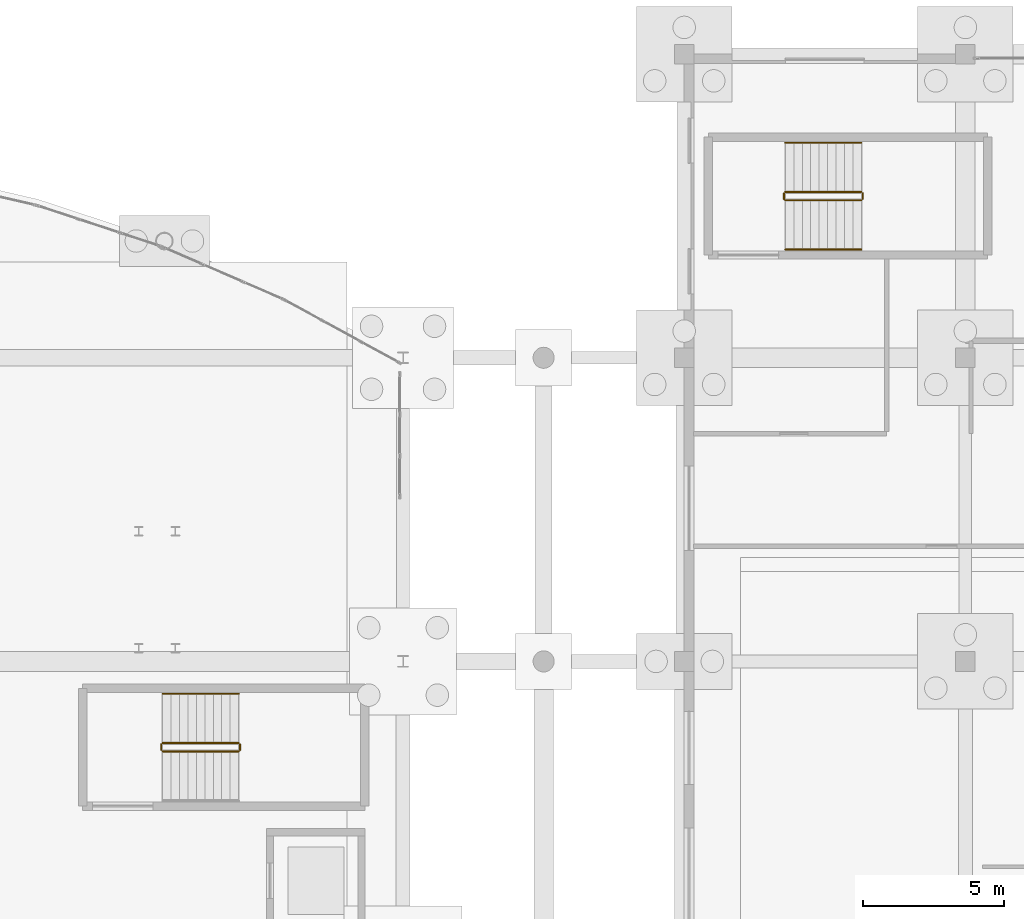
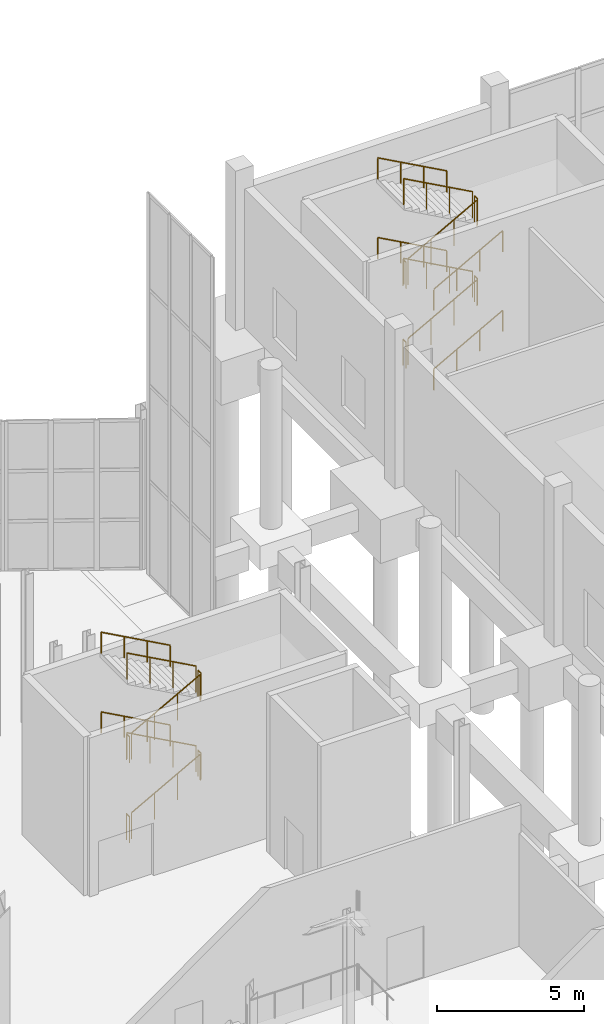
# One storey, part 111 of 115: 22 railings.
"""IFC4 building model written with IfcOpenShell, lengths in metres."""

from ifc_helpers import new_model, si_unit, direction, frame, origin, origin_2d, place, context, subcontext, project, spatial, circle, extrude, material, type_object, element, save


model = new_model("IFC4")

# Units and contexts
model_context = context("Model", 3, precision=1e-05, world=origin(), true_north=direction((0.0, 1.0)))
body_context = subcontext(model_context, "Body", "Model", "MODEL_VIEW")
ifc_project = project(units=[si_unit("LENGTHUNIT", "METRE"), si_unit("AREAUNIT", "SQUARE_METRE"), si_unit("VOLUMEUNIT", "CUBIC_METRE"), si_unit("PLANEANGLEUNIT", "RADIAN"), si_unit("MASSUNIT", "GRAM", prefix="KILO")], contexts=[model_context])

# Site, building, storey
site_placement = place(None, origin())
site = spatial("IfcSite", under=ifc_project, at=site_placement, CompositionType="ELEMENT")
building_placement = place(site_placement, origin())
building = spatial("IfcBuilding", under=site, at=building_placement, Name="Tamarisk Ironworks Central Station", CompositionType="ELEMENT")
storey_placement = place(building_placement, origin())
storey = spatial("IfcBuildingStorey", under=building, at=storey_placement, Name="L00", CompositionType="ELEMENT", Elevation=0.0)

# Railings
ifc_material = material(Name="Brushed stainless steel AISI 316", Category="steel")
railing_type_1 = type_object("IfcRailingType", Name="RL-GUARD-INT", PredefinedType="BALUSTRADE", material=ifc_material)
railing_1_placement = place(storey_placement, frame((121.60009765625, 117.199951171875, 0.1650390625)))
element("IfcRailing", 1, at=railing_1_placement, inside=storey, type_object=railing_type_1, Name="L00 ST-C5 stair guard 1", PredefinedType="BALUSTRADE", context=body_context, shape_type="SweptSolid", body=[
    extrude(circle(Radius=0.02392578125, at=origin_2d()), frame((0.0, 0.0, 1.076171875), z_axis=(0.876230963923, 0.0, 0.481891375584), x_axis=(0.0, 1.0, 0.0)), (0.0, 0.0, 1.0), 3.081298828125),
    extrude(circle(Radius=0.02099609375, at=origin_2d()), origin(), (0.0, 0.0, 1.0), 1.052001953125),
    extrude(circle(Radius=0.02099609375, at=origin_2d()), frame((0.89990234375, 0.0, 0.494873046875)), (0.0, 0.0, 1.0), 1.052001953125),
    extrude(circle(Radius=0.02099609375, at=origin_2d()), frame((1.800048828125, 0.0, 0.989990234375)), (0.0, 0.0, 1.0), 1.052001953125),
    extrude(circle(Radius=0.02099609375, at=origin_2d()), frame((2.699951171875, 0.0, 1.48486328125)), (0.0, 0.0, 1.0), 1.052001953125),
])
railing_2_placement = place(storey_placement, frame((124.35009765625, 117.25, 1.64990234375)))
element("IfcRailing", 2, at=railing_2_placement, inside=storey, type_object=railing_type_1, Name="L00 ST-C5 stair guard 2", PredefinedType="BALUSTRADE", context=body_context, shape_type="SweptSolid", body=[
    extrude(circle(Radius=0.02392578125, at=origin_2d()), frame((0.0, 0.0, 1.076171875), z_axis=(0.0, 1.0, 0.0), x_axis=(-1.0, 0.0, 0.0)), (0.0, 0.0, 1.0), 0.199951171875),
    extrude(circle(Radius=0.02099609375, at=origin_2d()), origin(), (0.0, 0.0, 1.0), 1.052001953125),
    extrude(circle(Radius=0.02099609375, at=origin_2d()), frame((0.0, 0.199951171875, 0.0)), (0.0, 0.0, 1.0), 1.052001953125),
])
railing_3_placement = place(storey_placement, frame((124.300048828125, 117.5, 1.81494140625)))
element("IfcRailing", 3, at=railing_3_placement, inside=storey, type_object=railing_type_1, Name="L00 ST-C5 stair guard 3", PredefinedType="BALUSTRADE", context=body_context, shape_type="SweptSolid", body=[
    extrude(circle(Radius=0.02392578125, at=origin_2d()), frame((0.0, 0.0, 1.076171875), z_axis=(-0.876197507361, 0.0, 0.481952205197), x_axis=(0.0, -1.0, 0.0)), (0.0, 0.0, 1.0), 3.08154296875),
    extrude(circle(Radius=0.02099609375, at=origin_2d()), origin(), (0.0, 0.0, 1.0), 1.052001953125),
    extrude(circle(Radius=0.02099609375, at=origin_2d()), frame((-0.89990234375, 0.0, 0.4951171875)), (0.0, 0.0, 1.0), 1.052001953125),
    extrude(circle(Radius=0.02099609375, at=origin_2d()), frame((-1.800048828125, 0.0, 0.989990234375)), (0.0, 0.0, 1.0), 1.052001953125),
    extrude(circle(Radius=0.02099609375, at=origin_2d()), frame((-2.699951171875, 0.0, 1.485107421875)), (0.0, 0.0, 1.0), 1.052001953125),
])
railing_4_placement = place(storey_placement, frame((121.550048828125, 117.25, 3.300048828125)))
element("IfcRailing", 4, at=railing_4_placement, inside=storey, type_object=railing_type_1, Name="L00 ST-C5 stair guard 4", PredefinedType="BALUSTRADE", context=body_context, shape_type="SweptSolid", body=[
    extrude(circle(Radius=0.02392578125, at=origin_2d()), frame((0.0, 0.0, 1.076171875), z_axis=(0.0, 1.0, 0.0), x_axis=(-1.0, 0.0, 0.0)), (0.0, 0.0, 1.0), 0.199951171875),
    extrude(circle(Radius=0.02099609375, at=origin_2d()), origin(), (0.0, 0.0, 1.0), 1.052001953125),
    extrude(circle(Radius=0.02099609375, at=origin_2d()), frame((0.0, 0.199951171875, 0.0)), (0.0, 0.0, 1.0), 1.052001953125),
])
railing_5_placement = place(storey_placement, frame((121.60009765625, 117.199951171875, 3.465087890625)))
element("IfcRailing", 5, at=railing_5_placement, inside=storey, type_object=railing_type_1, Name="L00 ST-C5 stair guard 5", PredefinedType="BALUSTRADE", context=body_context, shape_type="SweptSolid", body=[
    extrude(circle(Radius=0.02392578125, at=origin_2d()), frame((0.0, 0.0, 1.076171875), z_axis=(0.876230963923, 0.0, 0.481891375584), x_axis=(0.0, 1.0, 0.0)), (0.0, 0.0, 1.0), 3.081298828125),
    extrude(circle(Radius=0.02099609375, at=origin_2d()), origin(), (0.0, 0.0, 1.0), 1.052001953125),
    extrude(circle(Radius=0.02099609375, at=origin_2d()), frame((0.89990234375, 0.0, 0.494873046875)), (0.0, 0.0, 1.0), 1.052001953125),
    extrude(circle(Radius=0.02099609375, at=origin_2d()), frame((1.800048828125, 0.0, 0.989990234375)), (0.0, 0.0, 1.0), 1.052001953125),
    extrude(circle(Radius=0.02099609375, at=origin_2d()), frame((2.699951171875, 0.0, 1.48486328125)), (0.0, 0.0, 1.0), 1.052001953125),
])
railing_6_placement = place(storey_placement, frame((124.35009765625, 117.25, 4.949951171875)))
element("IfcRailing", 6, at=railing_6_placement, inside=storey, type_object=railing_type_1, Name="L00 ST-C5 stair guard 6", PredefinedType="BALUSTRADE", context=body_context, shape_type="SweptSolid", body=[
    extrude(circle(Radius=0.02392578125, at=origin_2d()), frame((0.0, 0.0, 1.076171875), z_axis=(0.0, 1.0, 0.0), x_axis=(-1.0, 0.0, 0.0)), (0.0, 0.0, 1.0), 0.199951171875),
    extrude(circle(Radius=0.02099609375, at=origin_2d()), origin(), (0.0, 0.0, 1.0), 1.052001953125),
    extrude(circle(Radius=0.02099609375, at=origin_2d()), frame((0.0, 0.199951171875, 0.0)), (0.0, 0.0, 1.0), 1.052001953125),
])
railing_7_placement = place(storey_placement, frame((124.300048828125, 117.5, 5.114990234375)))
element("IfcRailing", 7, at=railing_7_placement, inside=storey, type_object=railing_type_1, Name="L00 ST-C5 stair guard 7", PredefinedType="BALUSTRADE", context=body_context, shape_type="SweptSolid", body=[
    extrude(circle(Radius=0.02392578125, at=origin_2d()), frame((0.0, 0.0, 1.076171875), z_axis=(-0.876197507361, 0.0, 0.481952205197), x_axis=(0.0, -1.0, 0.0)), (0.0, 0.0, 1.0), 3.08154296875),
    extrude(circle(Radius=0.02099609375, at=origin_2d()), origin(), (0.0, 0.0, 1.0), 1.052001953125),
    extrude(circle(Radius=0.02099609375, at=origin_2d()), frame((-0.89990234375, 0.0, 0.4951171875)), (0.0, 0.0, 1.0), 1.052001953125),
    extrude(circle(Radius=0.02099609375, at=origin_2d()), frame((-1.800048828125, 0.0, 0.989990234375)), (0.0, 0.0, 1.0), 1.052001953125),
    extrude(circle(Radius=0.02099609375, at=origin_2d()), frame((-2.699951171875, 0.0, 1.485107421875)), (0.0, 0.0, 1.0), 1.052001953125),
])
railing_8_placement = place(storey_placement, frame((121.550048828125, 117.25, 0.0)))
element("IfcRailing", 8, at=railing_8_placement, inside=storey, type_object=railing_type_1, Name="L00 ST-C5 stair guard 8", PredefinedType="BALUSTRADE", context=body_context, shape_type="SweptSolid", body=[
    extrude(circle(Radius=0.02392578125, at=origin_2d()), frame((0.0, 0.0, 1.076171875), z_axis=(0.0, 1.0, 0.0), x_axis=(-1.0, 0.0, 0.0)), (0.0, 0.0, 1.0), 0.199951171875),
    extrude(circle(Radius=0.02099609375, at=origin_2d()), origin(), (0.0, 0.0, 1.0), 1.052001953125),
    extrude(circle(Radius=0.02099609375, at=origin_2d()), frame((0.0, 0.199951171875, 0.0)), (0.0, 0.0, 1.0), 1.052001953125),
])
railing_9_placement = place(storey_placement, frame((99.449951171875, 97.60009765625, 0.1650390625)))
element("IfcRailing", 9, at=railing_9_placement, inside=storey, type_object=railing_type_1, Name="L00 ST-C4 stair guard 1", PredefinedType="BALUSTRADE", context=body_context, shape_type="SweptSolid", body=[
    extrude(circle(Radius=0.02392578125, at=origin_2d()), frame((0.0, 0.0, 1.076171875), z_axis=(0.876230963923, 0.0, 0.481891375584), x_axis=(0.0, 1.0, 0.0)), (0.0, 0.0, 1.0), 3.081298828125),
    extrude(circle(Radius=0.02099609375, at=origin_2d()), origin(), (0.0, 0.0, 1.0), 1.052001953125),
    extrude(circle(Radius=0.02099609375, at=origin_2d()), frame((0.89990234375, 0.0, 0.494873046875)), (0.0, 0.0, 1.0), 1.052001953125),
    extrude(circle(Radius=0.02099609375, at=origin_2d()), frame((1.800048828125, 0.0, 0.989990234375)), (0.0, 0.0, 1.0), 1.052001953125),
    extrude(circle(Radius=0.02099609375, at=origin_2d()), frame((2.699951171875, 0.0, 1.48486328125)), (0.0, 0.0, 1.0), 1.052001953125),
])
railing_10_placement = place(storey_placement, frame((102.199951171875, 97.64990234375, 1.64990234375)))
element("IfcRailing", 10, at=railing_10_placement, inside=storey, type_object=railing_type_1, Name="L00 ST-C4 stair guard 2", PredefinedType="BALUSTRADE", context=body_context, shape_type="SweptSolid", body=[
    extrude(circle(Radius=0.02392578125, at=origin_2d()), frame((0.0, 0.0, 1.076171875), z_axis=(0.0, 1.0, 0.0), x_axis=(-1.0, 0.0, 0.0)), (0.0, 0.0, 1.0), 0.2001953125),
    extrude(circle(Radius=0.02099609375, at=origin_2d()), origin(), (0.0, 0.0, 1.0), 1.052001953125),
    extrude(circle(Radius=0.02099609375, at=origin_2d()), frame((0.0, 0.2001953125, 0.0)), (0.0, 0.0, 1.0), 1.052001953125),
])
railing_11_placement = place(storey_placement, frame((102.14990234375, 97.89990234375, 1.81494140625)))
element("IfcRailing", 11, at=railing_11_placement, inside=storey, type_object=railing_type_1, Name="L00 ST-C4 stair guard 3", PredefinedType="BALUSTRADE", context=body_context, shape_type="SweptSolid", body=[
    extrude(circle(Radius=0.02392578125, at=origin_2d()), frame((0.0, 0.0, 1.076171875), z_axis=(-0.876197507361, 0.0, 0.481952205197), x_axis=(0.0, -1.0, 0.0)), (0.0, 0.0, 1.0), 3.08154296875),
    extrude(circle(Radius=0.02099609375, at=origin_2d()), origin(), (0.0, 0.0, 1.0), 1.052001953125),
    extrude(circle(Radius=0.02099609375, at=origin_2d()), frame((-0.89990234375, 0.0, 0.4951171875)), (0.0, 0.0, 1.0), 1.052001953125),
    extrude(circle(Radius=0.02099609375, at=origin_2d()), frame((-1.800048828125, 0.0, 0.989990234375)), (0.0, 0.0, 1.0), 1.052001953125),
    extrude(circle(Radius=0.02099609375, at=origin_2d()), frame((-2.699951171875, 0.0, 1.485107421875)), (0.0, 0.0, 1.0), 1.052001953125),
])
railing_12_placement = place(storey_placement, frame((99.39990234375, 97.64990234375, 3.300048828125)))
element("IfcRailing", 12, at=railing_12_placement, inside=storey, type_object=railing_type_1, Name="L00 ST-C4 stair guard 4", PredefinedType="BALUSTRADE", context=body_context, shape_type="SweptSolid", body=[
    extrude(circle(Radius=0.02392578125, at=origin_2d()), frame((0.0, 0.0, 1.076171875), z_axis=(0.0, 1.0, 0.0), x_axis=(-1.0, 0.0, 0.0)), (0.0, 0.0, 1.0), 0.2001953125),
    extrude(circle(Radius=0.02099609375, at=origin_2d()), origin(), (0.0, 0.0, 1.0), 1.052001953125),
    extrude(circle(Radius=0.02099609375, at=origin_2d()), frame((0.0, 0.2001953125, 0.0)), (0.0, 0.0, 1.0), 1.052001953125),
])
railing_13_placement = place(storey_placement, frame((99.449951171875, 97.60009765625, 3.465087890625)))
element("IfcRailing", 13, at=railing_13_placement, inside=storey, type_object=railing_type_1, Name="L00 ST-C4 stair guard 5", PredefinedType="BALUSTRADE", context=body_context, shape_type="SweptSolid", body=[
    extrude(circle(Radius=0.02392578125, at=origin_2d()), frame((0.0, 0.0, 1.076171875), z_axis=(0.876230963923, 0.0, 0.481891375584), x_axis=(0.0, 1.0, 0.0)), (0.0, 0.0, 1.0), 3.081298828125),
    extrude(circle(Radius=0.02099609375, at=origin_2d()), origin(), (0.0, 0.0, 1.0), 1.052001953125),
    extrude(circle(Radius=0.02099609375, at=origin_2d()), frame((0.89990234375, 0.0, 0.494873046875)), (0.0, 0.0, 1.0), 1.052001953125),
    extrude(circle(Radius=0.02099609375, at=origin_2d()), frame((1.800048828125, 0.0, 0.989990234375)), (0.0, 0.0, 1.0), 1.052001953125),
    extrude(circle(Radius=0.02099609375, at=origin_2d()), frame((2.699951171875, 0.0, 1.48486328125)), (0.0, 0.0, 1.0), 1.052001953125),
])
railing_14_placement = place(storey_placement, frame((102.199951171875, 97.64990234375, 4.949951171875)))
element("IfcRailing", 14, at=railing_14_placement, inside=storey, type_object=railing_type_1, Name="L00 ST-C4 stair guard 6", PredefinedType="BALUSTRADE", context=body_context, shape_type="SweptSolid", body=[
    extrude(circle(Radius=0.02392578125, at=origin_2d()), frame((0.0, 0.0, 1.076171875), z_axis=(0.0, 1.0, 0.0), x_axis=(-1.0, 0.0, 0.0)), (0.0, 0.0, 1.0), 0.2001953125),
    extrude(circle(Radius=0.02099609375, at=origin_2d()), origin(), (0.0, 0.0, 1.0), 1.052001953125),
    extrude(circle(Radius=0.02099609375, at=origin_2d()), frame((0.0, 0.2001953125, 0.0)), (0.0, 0.0, 1.0), 1.052001953125),
])
railing_15_placement = place(storey_placement, frame((102.14990234375, 97.89990234375, 5.114990234375)))
element("IfcRailing", 15, at=railing_15_placement, inside=storey, type_object=railing_type_1, Name="L00 ST-C4 stair guard 7", PredefinedType="BALUSTRADE", context=body_context, shape_type="SweptSolid", body=[
    extrude(circle(Radius=0.02392578125, at=origin_2d()), frame((0.0, 0.0, 1.076171875), z_axis=(-0.876197507361, 0.0, 0.481952205197), x_axis=(0.0, -1.0, 0.0)), (0.0, 0.0, 1.0), 3.08154296875),
    extrude(circle(Radius=0.02099609375, at=origin_2d()), origin(), (0.0, 0.0, 1.0), 1.052001953125),
    extrude(circle(Radius=0.02099609375, at=origin_2d()), frame((-0.89990234375, 0.0, 0.4951171875)), (0.0, 0.0, 1.0), 1.052001953125),
    extrude(circle(Radius=0.02099609375, at=origin_2d()), frame((-1.800048828125, 0.0, 0.989990234375)), (0.0, 0.0, 1.0), 1.052001953125),
    extrude(circle(Radius=0.02099609375, at=origin_2d()), frame((-2.699951171875, 0.0, 1.485107421875)), (0.0, 0.0, 1.0), 1.052001953125),
])
railing_16_placement = place(storey_placement, frame((99.39990234375, 97.64990234375, 0.0)))
element("IfcRailing", 16, at=railing_16_placement, inside=storey, type_object=railing_type_1, Name="L00 ST-C4 stair guard 8", PredefinedType="BALUSTRADE", context=body_context, shape_type="SweptSolid", body=[
    extrude(circle(Radius=0.02392578125, at=origin_2d()), frame((0.0, 0.0, 1.076171875), z_axis=(0.0, 1.0, 0.0), x_axis=(-1.0, 0.0, 0.0)), (0.0, 0.0, 1.0), 0.2001953125),
    extrude(circle(Radius=0.02099609375, at=origin_2d()), origin(), (0.0, 0.0, 1.0), 1.052001953125),
    extrude(circle(Radius=0.02099609375, at=origin_2d()), frame((0.0, 0.2001953125, 0.0)), (0.0, 0.0, 1.0), 1.052001953125),
])
railing_type_2 = type_object("IfcRailingType", Name="RL-HAND", PredefinedType="HANDRAIL", material=ifc_material)
railing_17_placement = place(storey_placement, frame((121.60009765625, 115.449951171875, 0.1650390625)))
element("IfcRailing", 17, at=railing_17_placement, inside=storey, type_object=railing_type_2, Name="L00 ST-C5 stair handrail 1", PredefinedType="HANDRAIL", context=body_context, shape_type="SweptSolid", body=[
    extrude(circle(Radius=0.02392578125, at=origin_2d()), frame((0.0, 0.0, 0.8759765625), z_axis=(0.876230963923, 0.0, 0.481891375584), x_axis=(0.0, 1.0, 0.0)), (0.0, 0.0, 1.0), 3.081298828125),
    extrude(circle(Radius=0.02099609375, at=origin_2d()), origin(), (0.0, 0.0, 1.0), 0.851806640625),
    extrude(circle(Radius=0.02099609375, at=origin_2d()), frame((0.89990234375, 0.0, 0.494873046875)), (0.0, 0.0, 1.0), 0.851806640625),
    extrude(circle(Radius=0.02099609375, at=origin_2d()), frame((1.800048828125, 0.0, 0.989990234375)), (0.0, 0.0, 1.0), 0.851806640625),
    extrude(circle(Radius=0.02099609375, at=origin_2d()), frame((2.699951171875, 0.0, 1.48486328125)), (0.0, 0.0, 1.0), 0.851806640625),
])
railing_18_placement = place(storey_placement, frame((124.300048828125, 119.25, 1.81494140625)))
element("IfcRailing", 18, at=railing_18_placement, inside=storey, type_object=railing_type_2, Name="L00 ST-C5 stair handrail 2", PredefinedType="HANDRAIL", context=body_context, shape_type="SweptSolid", body=[
    extrude(circle(Radius=0.02392578125, at=origin_2d()), frame((0.0, 0.0, 0.8759765625), z_axis=(-0.876197507361, 0.0, 0.481952205197), x_axis=(0.0, -1.0, 0.0)), (0.0, 0.0, 1.0), 3.08154296875),
    extrude(circle(Radius=0.02099609375, at=origin_2d()), origin(), (0.0, 0.0, 1.0), 0.851806640625),
    extrude(circle(Radius=0.02099609375, at=origin_2d()), frame((-0.89990234375, 0.0, 0.4951171875)), (0.0, 0.0, 1.0), 0.851806640625),
    extrude(circle(Radius=0.02099609375, at=origin_2d()), frame((-1.800048828125, 0.0, 0.989990234375)), (0.0, 0.0, 1.0), 0.851806640625),
    extrude(circle(Radius=0.02099609375, at=origin_2d()), frame((-2.699951171875, 0.0, 1.485107421875)), (0.0, 0.0, 1.0), 0.851806640625),
])
railing_19_placement = place(storey_placement, frame((121.60009765625, 115.449951171875, 3.465087890625)))
element("IfcRailing", 19, at=railing_19_placement, inside=storey, type_object=railing_type_2, Name="L00 ST-C5 stair handrail 3", PredefinedType="HANDRAIL", context=body_context, shape_type="SweptSolid", body=[
    extrude(circle(Radius=0.02392578125, at=origin_2d()), frame((0.0, 0.0, 0.8759765625), z_axis=(0.876230963923, 0.0, 0.481891375584), x_axis=(0.0, 1.0, 0.0)), (0.0, 0.0, 1.0), 3.081298828125),
    extrude(circle(Radius=0.02099609375, at=origin_2d()), origin(), (0.0, 0.0, 1.0), 0.851806640625),
    extrude(circle(Radius=0.02099609375, at=origin_2d()), frame((0.89990234375, 0.0, 0.494873046875)), (0.0, 0.0, 1.0), 0.851806640625),
    extrude(circle(Radius=0.02099609375, at=origin_2d()), frame((1.800048828125, 0.0, 0.989990234375)), (0.0, 0.0, 1.0), 0.851806640625),
    extrude(circle(Radius=0.02099609375, at=origin_2d()), frame((2.699951171875, 0.0, 1.48486328125)), (0.0, 0.0, 1.0), 0.851806640625),
])
for number, where, name in (
    (20, (124.300048828125, 119.25, 5.114990234375), "L00 ST-C5 stair handrail 4"),
    (21, (102.14990234375, 99.64990234375, 1.81494140625), "L00 ST-C4 stair handrail 2"),
    (22, (102.14990234375, 99.64990234375, 5.114990234375), "L00 ST-C4 stair handrail 4"),
):
    element("IfcRailing", number, at=place(storey_placement, frame(where)), inside=storey, type_object=railing_type_2, Name=name, PredefinedType="HANDRAIL", context=body_context, shape_type="SweptSolid", body=[
        extrude(circle(Radius=0.02392578125, at=origin_2d()), frame((0.0, 0.0, 0.8759765625), z_axis=(-0.876197507361, 0.0, 0.481952205197), x_axis=(0.0, -1.0, 0.0)), (0.0, 0.0, 1.0), 3.08154296875),
        extrude(circle(Radius=0.02099609375, at=origin_2d()), origin(), (0.0, 0.0, 1.0), 0.851806640625),
        extrude(circle(Radius=0.02099609375, at=origin_2d()), frame((-0.89990234375, 0.0, 0.4951171875)), (0.0, 0.0, 1.0), 0.851806640625),
        extrude(circle(Radius=0.02099609375, at=origin_2d()), frame((-1.800048828125, 0.0, 0.989990234375)), (0.0, 0.0, 1.0), 0.851806640625),
        extrude(circle(Radius=0.02099609375, at=origin_2d()), frame((-2.699951171875, 0.0, 1.485107421875)), (0.0, 0.0, 1.0), 0.851806640625),
    ])

save(model, "model.ifc")
